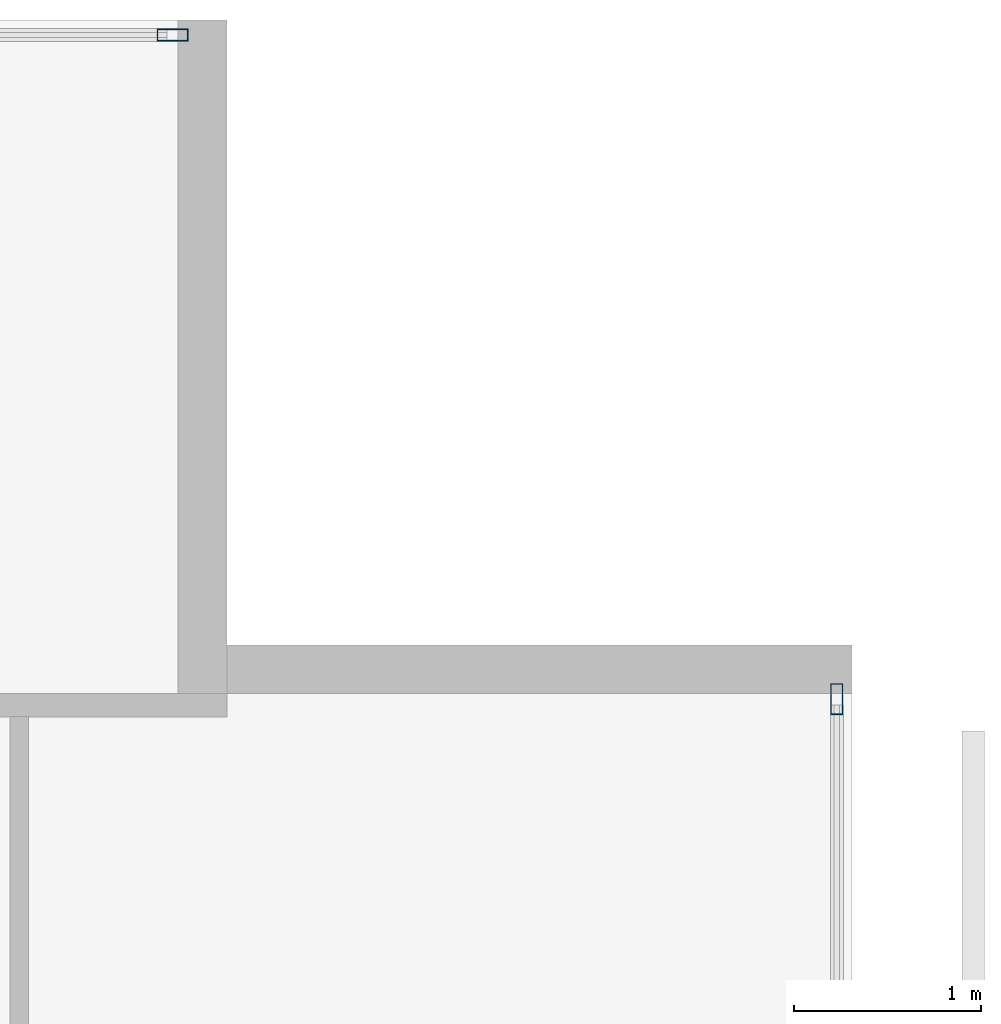
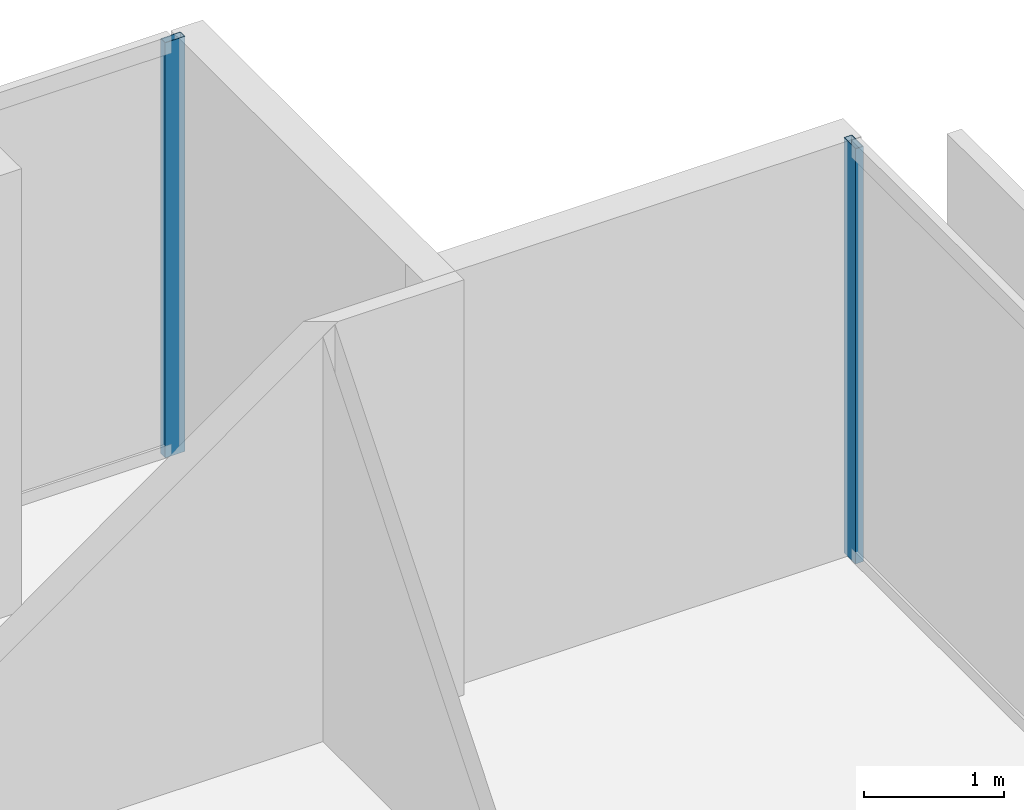
# One storey, part 31 of 40: 2 members, 2 elements without a shape of their own.
"""IFC4 building model written with IfcOpenShell, lengths in metres."""

from ifc_helpers import new_model, si_unit, direction, frame, origin, origin_2d, place, context, subcontext, project, spatial, hollow_rectangle, extrude, material, layer, layer_set, material_profile, profile_set, type_object, element, aggregate, save


model = new_model("IFC4")

# Units and contexts
model_context = context("Model", 3, precision=1e-05, world=origin(), true_north=direction((0.0, 1.0)))
body_context = subcontext(model_context, "Body", "Model", "MODEL_VIEW")
ifc_project = project(units=[si_unit("LENGTHUNIT", "METRE"), si_unit("AREAUNIT", "SQUARE_METRE"), si_unit("VOLUMEUNIT", "CUBIC_METRE"), si_unit("PLANEANGLEUNIT", "RADIAN"), si_unit("MASSUNIT", "GRAM", prefix="KILO")], contexts=[model_context])

# Site, building, storey
site_placement = place(None, origin())
site = spatial("IfcSite", under=ifc_project, at=site_placement, CompositionType="ELEMENT")
building_placement = place(site_placement, origin())
building = spatial("IfcBuilding", under=site, at=building_placement, Name="Maruvema Waterfront Hotel and Observation Tower", CompositionType="ELEMENT")
storey_placement = place(building_placement, frame((0.0, 0.0, 38.5)))
storey = spatial("IfcBuildingStorey", under=building, at=storey_placement, Name="L08", CompositionType="ELEMENT", Elevation=38.5)

# Curtain wall, member
ifc_material_1 = material(Name="Anodised bronze aluminium and solar-control low-E IGU", Category="aluminium")
ifc_layer = layer(ifc_material_1, 0.159912109375, Name="Zone 1 Bronze Inner Thermal Curtain Wall System CW-02")
ifc_layer_set = layer_set([ifc_layer], Name="Anodised bronze aluminium and solar-control low-E IGU")
curtain_wall_type = type_object("IfcCurtainWallType", Name="Zone 1 Bronze Inner Thermal Curtain Wall System CW-02", PredefinedType="USERDEFINED", material=ifc_layer_set)
curtain_wall_1_placement = place(storey_placement, origin())
curtain_wall_1 = element("IfcCurtainWall", 1, at=curtain_wall_1_placement, inside=storey, type_object=curtain_wall_type, Name="L08 Curtain Wall CW-L08-E", ObjectType="UNITISED CURTAIN WALL", PredefinedType="USERDEFINED")
ifc_material_2 = material(Name="Anodised architectural bronze aluminium", Category="aluminium")
ifc_material_profile = material_profile(ifc_material_2, hollow_rectangle(XDim=0.06494140625, YDim=0.1650390625, WallThickness=0.00390625, at=origin_2d()), Name="ALU-M65x165")
ifc_profile_set = profile_set([ifc_material_profile], Name="Anodised architectural bronze aluminium")
member_type = type_object("IfcMemberType", Name="Curtain Wall Primary Mullion ALU-M65x165", PredefinedType="MULLION", material=ifc_profile_set)
member_1_placement = place(storey_placement, frame((64.719970703125, 50.3701171875, 0.0), z_axis=(0.0, 0.0, 1.0), x_axis=(-1.0, 0.0, 0.0)))
member_1 = element("IfcMember", 2, at=member_1_placement, type_object=member_type, Name="CW-02 mullion 7", PredefinedType="MULLION", context=body_context, shape_type="SweptSolid", body=[
    extrude(hollow_rectangle(XDim=0.06494140625, YDim=0.1650390625, WallThickness=0.00390625, at=origin_2d()), origin(), (0.0, 0.0, 1.0), 3.610107421875),
])
aggregate(curtain_wall_1, [member_1])

curtain_wall_2_placement = place(storey_placement, origin())
curtain_wall_2 = element("IfcCurtainWall", 3, at=curtain_wall_2_placement, inside=storey, type_object=curtain_wall_type, Name="L08 Curtain Wall CW-L08-NE", ObjectType="UNITISED CURTAIN WALL", PredefinedType="USERDEFINED")
member_2_placement = place(storey_placement, frame((61.169921875, 53.919921875, 0.0), z_axis=(0.0, 0.0, 1.0), x_axis=(0.0, -1.0, 0.0)))
member_2 = element("IfcMember", 4, at=member_2_placement, type_object=member_type, Name="CW-02 mullion 1", PredefinedType="MULLION", context=body_context, shape_type="SweptSolid", body=[
    extrude(hollow_rectangle(XDim=0.06494140625, YDim=0.1650390625, WallThickness=0.00390625, at=origin_2d()), origin(), (0.0, 0.0, 1.0), 3.610107421875),
])
aggregate(curtain_wall_2, [member_2])

save(model, "model.ifc")
